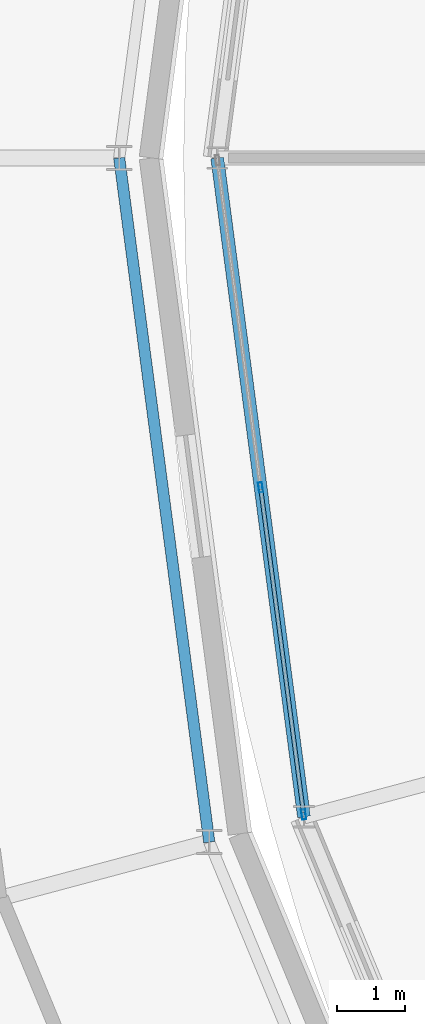
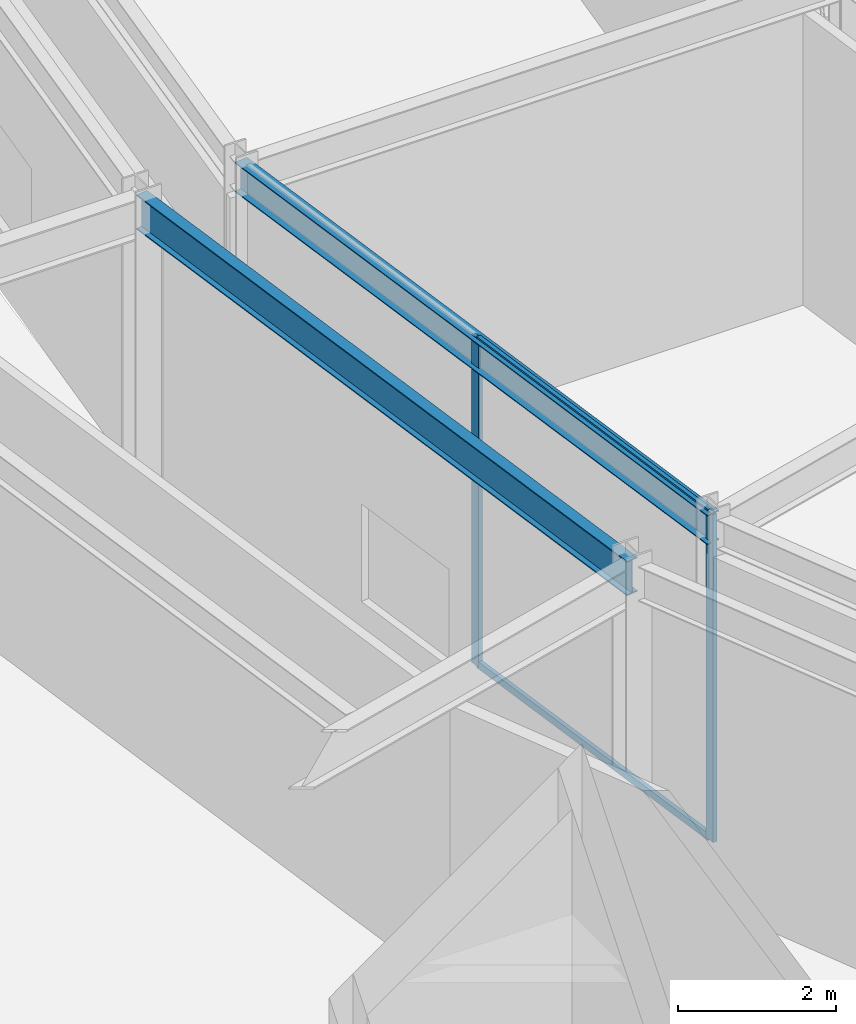
# One storey, part 35 of 168: 4 members, 2 beams, 1 element without a shape of its own.
"""IFC4 building model written with IfcOpenShell, lengths in metres."""

from ifc_helpers import new_model, si_unit, direction, frame, origin, origin_2d, place, context, subcontext, project, spatial, hollow_rectangle, i_section, extrude, material, material_profile, profile_set, type_object, element, aggregate, save


model = new_model("IFC4")

# Units and contexts
model_context = context("Model", 3, precision=1e-05, world=origin(), true_north=direction((0.0, 1.0)))
body_context = subcontext(model_context, "Body", "Model", "MODEL_VIEW")
ifc_project = project(units=[si_unit("LENGTHUNIT", "METRE"), si_unit("AREAUNIT", "SQUARE_METRE"), si_unit("VOLUMEUNIT", "CUBIC_METRE"), si_unit("PLANEANGLEUNIT", "RADIAN"), si_unit("MASSUNIT", "GRAM", prefix="KILO")], contexts=[model_context])

# Site, building, storey
site_placement = place(None, origin())
site = spatial("IfcSite", under=ifc_project, at=site_placement, CompositionType="ELEMENT")
building_placement = place(site_placement, origin())
building = spatial("IfcBuilding", under=site, at=building_placement, Name="Almandine Court Research Institute", CompositionType="ELEMENT")
storey_placement = place(building_placement, origin())
storey = spatial("IfcBuildingStorey", under=building, at=storey_placement, Name="L00", CompositionType="ELEMENT", Elevation=0.0)

# Beams
ifc_material_1 = material(Name="Steel ASTM A992 Grade 50", Category="steel")
ifc_material_profile_1 = material_profile(ifc_material_1, i_section(OverallWidth=0.18994140625, OverallDepth=0.45703125, WebThickness=0.009033203125, FlangeThickness=0.014892578125, at=origin_2d()), Name="W460x74")
ifc_profile_set_1 = profile_set([ifc_material_profile_1], Name="Steel ASTM A992 Grade 50")
beam_type_1 = type_object("IfcBeamType", Name="Beam-B-01", PredefinedType="BEAM", material=ifc_profile_set_1)
beam_1_placement = place(storey_placement, frame((49.35009765625, 56.0, 4.841064453125), z_axis=(0.130525188913, -0.991444993461, 0.0), x_axis=(0.991444993461, 0.130525188913, 0.0)))
element("IfcBeam", 1, at=beam_1_placement, inside=storey, type_object=beam_type_1, Name="L00 Atrium Outer Ring Beam", PredefinedType="BEAM", context=body_context, shape_type="SweptSolid", body=[
    extrude(i_section(OverallWidth=0.18994140625, OverallDepth=0.45703125, WebThickness=0.009033203125, FlangeThickness=0.014892578125, at=origin_2d()), origin(), (0.0, 0.0, 1.0), 9.8291015625),
])
ifc_material_profile_2 = material_profile(ifc_material_1, i_section(OverallWidth=0.166015625, OverallDepth=0.534912109375, WebThickness=0.010009765625, FlangeThickness=0.01708984375, at=origin_2d()), Name="W530x85")
ifc_profile_set_2 = profile_set([ifc_material_profile_2], Name="Steel ASTM A992 Grade 50")
beam_type_2 = type_object("IfcBeamType", Name="Beam-G-05-E", PredefinedType="SPANDREL", material=ifc_profile_set_2)
beam_2_placement = place(storey_placement, frame((47.89990234375, 56.0, 4.802978515625), z_axis=(0.130496584681, -0.991448758831, 0.0), x_axis=(0.991448758831, 0.130496584681, 0.0)))
element("IfcBeam", 2, at=beam_2_placement, inside=storey, type_object=beam_type_2, Name="L00 Drum IN Ring Beam 12", PredefinedType="SPANDREL", context=body_context, shape_type="SweptSolid", body=[
    extrude(i_section(OverallWidth=0.166015625, OverallDepth=0.534912109375, WebThickness=0.010009765625, FlangeThickness=0.01708984375, at=origin_2d()), origin(), (0.0, 0.0, 1.0), 10.20751953125),
])

# Curtain wall, members
ifc_material_2 = material(Name="Unitised Curtain Wall Framing and Solar Glazing", Category="glass")
curtain_wall_type = type_object("IfcCurtainWallType", Name="CW-CWG-23", PredefinedType="USERDEFINED", material=ifc_material_2)
curtain_wall_placement = place(storey_placement, origin())
curtain_wall = element("IfcCurtainWall", 3, at=curtain_wall_placement, inside=storey, type_object=curtain_wall_type, Name="L00 Interaction Atrium Perimeter Curtain Wall 12", ObjectType="UNITISED GLAZING", PredefinedType="USERDEFINED")
ifc_material_3 = material(Name="Anodised Aluminium AW-6063-T6", Category="aluminium")
ifc_material_profile_3 = material_profile(ifc_material_3, hollow_rectangle(XDim=0.06005859375, YDim=0.14990234375, WallThickness=0.00390625, at=origin_2d()), Name="ALU RHS 60x150x4")
ifc_profile_set_3 = profile_set([ifc_material_profile_3], Name="Anodised Aluminium AW-6063-T6")
member_type_1 = type_object("IfcMemberType", Name="CWMul-60x150", PredefinedType="MULLION", material=ifc_profile_set_3)
member_1_placement = place(storey_placement, frame((50.628173828125, 46.288818359375, 0.0), z_axis=(0.0, 0.0, 1.0), x_axis=(-0.991443548509, -0.130536164028, 0.0)))
member_1 = element("IfcMember", 4, at=member_1_placement, type_object=member_type_1, Name="CWG-23 mullion 1", PredefinedType="MULLION", context=body_context, shape_type="SweptSolid", body=[
    extrude(hollow_rectangle(XDim=0.06005859375, YDim=0.14990234375, WallThickness=0.00390625, at=origin_2d()), origin(), (0.0, 0.0, 1.0), 5.070068359375),
])
member_2_placement = place(storey_placement, frame((49.990966796875, 51.12744140625, 0.0), z_axis=(0.0, 0.0, 1.0), x_axis=(-0.991443548509, -0.130536164028, 0.0)))
member_2 = element("IfcMember", 5, at=member_2_placement, type_object=member_type_1, Name="CWG-23 mullion 2", PredefinedType="MULLION", context=body_context, shape_type="SweptSolid", body=[
    extrude(hollow_rectangle(XDim=0.06005859375, YDim=0.14990234375, WallThickness=0.00390625, at=origin_2d()), origin(), (0.0, 0.0, 1.0), 5.070068359375),
])
ifc_material_profile_4 = material_profile(ifc_material_3, hollow_rectangle(XDim=0.06005859375, YDim=0.110107421875, WallThickness=0.00390625, at=origin_2d()), Name="ALU RHS 60x110x4")
ifc_profile_set_4 = profile_set([ifc_material_profile_4], Name="Anodised Aluminium AW-6063-T6")
member_type_2 = type_object("IfcMemberType", Name="CWTrn-60x110", PredefinedType="NOTDEFINED", material=ifc_profile_set_4)
member_3_placement = place(storey_placement, frame((50.624267578125, 46.318603515625, 0.030029296875), z_axis=(-0.130571116357, 0.991438945963, 0.0), x_axis=(-0.991438945963, -0.130571116357, 0.0)))
member_3 = element("IfcMember", 6, at=member_3_placement, type_object=member_type_2, Name="CWG-23 transom 1.1", ObjectType="TRANSOM", PredefinedType="USERDEFINED", context=body_context, shape_type="SweptSolid", body=[
    extrude(hollow_rectangle(XDim=0.06005859375, YDim=0.110107421875, WallThickness=0.00390625, at=origin_2d()), origin(), (0.0, 0.0, 1.0), 4.8203125),
])
member_4_placement = place(storey_placement, frame((50.624267578125, 46.318603515625, 5.0400390625), z_axis=(-0.130571116357, 0.991438945963, 0.0), x_axis=(-0.991438945963, -0.130571116357, 0.0)))
member_4 = element("IfcMember", 7, at=member_4_placement, type_object=member_type_2, Name="CWG-23 transom 1.2", ObjectType="TRANSOM", PredefinedType="USERDEFINED", context=body_context, shape_type="SweptSolid", body=[
    extrude(hollow_rectangle(XDim=0.06005859375, YDim=0.110107421875, WallThickness=0.00390625, at=origin_2d()), origin(), (0.0, 0.0, 1.0), 4.8203125),
])
aggregate(curtain_wall, [member_1, member_2, member_3, member_4])

save(model, "model.ifc")
